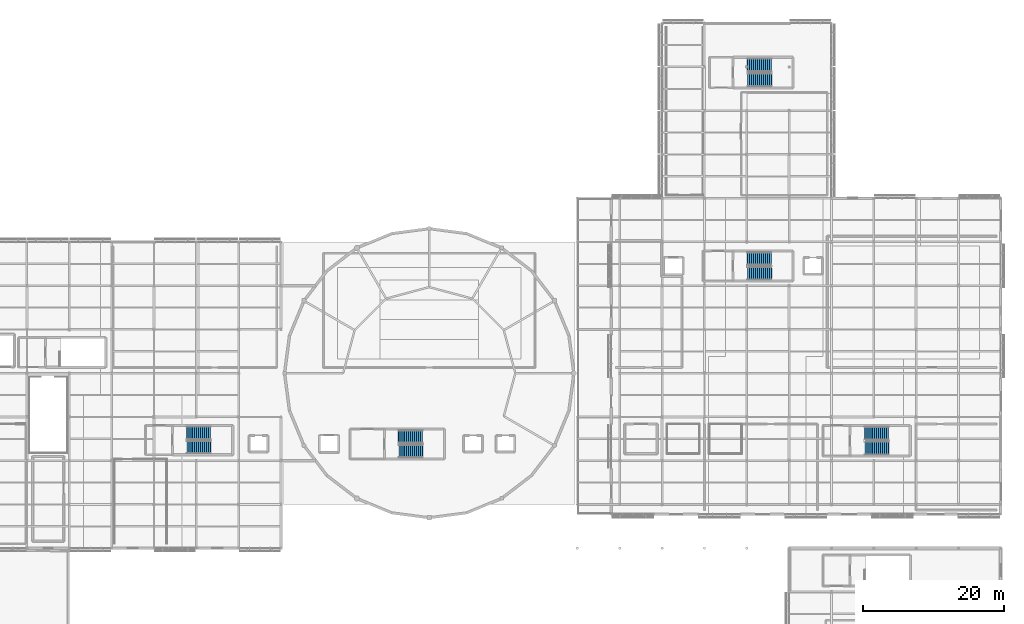
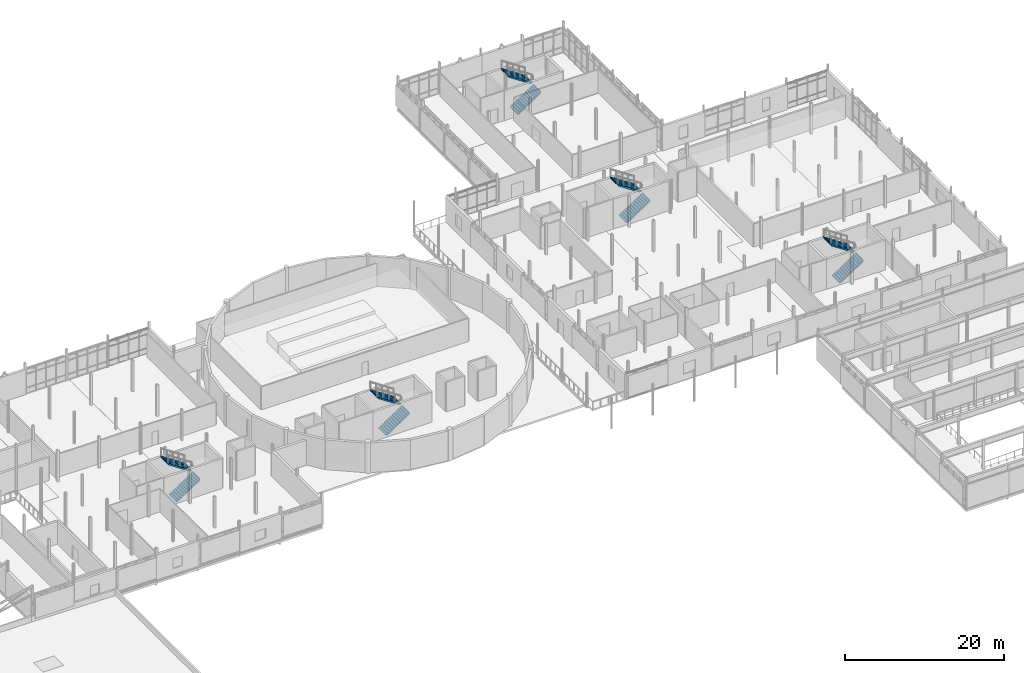
# One storey, part 64 of 84: 10 stair flights, 5 elements without a shape of their own.
"""IFC4 building model written with IfcOpenShell, lengths in metres."""

from ifc_helpers import new_model, si_unit, direction, frame, origin, place, context, subcontext, project, spatial, polyline, outline, extrude, material, type_object, element, aggregate, save


model = new_model("IFC4")

# Units and contexts
model_context = context("Model", 3, precision=1e-05, world=origin(), true_north=direction((0.0, 1.0)))
body_context = subcontext(model_context, "Body", "Model", "MODEL_VIEW")
ifc_project = project(units=[si_unit("LENGTHUNIT", "METRE"), si_unit("AREAUNIT", "SQUARE_METRE"), si_unit("VOLUMEUNIT", "CUBIC_METRE"), si_unit("PLANEANGLEUNIT", "RADIAN"), si_unit("MASSUNIT", "GRAM", prefix="KILO")], contexts=[model_context])

# Site, building, storey
site_placement = place(None, origin())
site = spatial("IfcSite", under=ifc_project, at=site_placement, CompositionType="ELEMENT")
building_placement = place(site_placement, origin())
building = spatial("IfcBuilding", under=site, at=building_placement, Name="Mirzam Square Science Centre", CompositionType="ELEMENT")
storey_placement = place(building_placement, frame((0.0, 0.0, 10.800048828125)))
storey = spatial("IfcBuildingStorey", under=building, at=storey_placement, Name="L02", CompositionType="ELEMENT", Elevation=10.800048828125)

# Stair, stair flights
ifc_material = material(Name="Concrete C40/50", Category="concrete")
stair_type_1 = type_object("IfcStairType", Name="ST-CORE-1-480", PredefinedType="HALF_TURN_STAIR", material=ifc_material)
stair_1_placement = place(storey_placement, origin())
stair_1 = element("IfcStair", 1, at=stair_1_placement, inside=storey, type_object=stair_type_1, Name="L02 ST-01", PredefinedType="HALF_TURN_STAIR")
stair_flight_type_1 = type_object("IfcStairFlightType", Name="STF-CORE-1-26R", PredefinedType="STRAIGHT", material=ifc_material)
stair_flight_1_placement = place(storey_placement, frame((46.64990234375, 51.52490234375, 0.0), z_axis=(0.0, 0.0, 1.0), x_axis=(1.0, 0.0, 0.0)))
stair_flight_1 = element("IfcStairFlight", 2, at=stair_flight_1_placement, type_object=stair_flight_type_1, Name="ST-01 flight 1", NumberOfRisers=13, NumberOfTreads=12, PredefinedType="STRAIGHT", RiserHeight=0.184615385, TreadLength=0.28, context=body_context, shape_type="SweptSolid", body=[
    extrude(outline(polyline([(0.0, 0.0), (0.0, 0.1845703125), (0.280029296875, 0.1845703125), (0.280029296875, 0.369140625), (0.56005859375, 0.369140625), (0.56005859375, 0.553955078125), (0.840087890625, 0.553955078125), (0.840087890625, 0.738525390625), (1.1201171875, 0.738525390625), (1.1201171875, 0.923095703125), (1.39990234375, 0.923095703125), (1.39990234375, 1.107666015625), (1.679931640625, 1.107666015625), (1.679931640625, 1.292236328125), (1.9599609375, 1.292236328125), (1.9599609375, 1.476806640625), (2.239990234375, 1.476806640625), (2.239990234375, 1.66162109375), (2.52001953125, 1.66162109375), (2.52001953125, 1.84619140625), (2.800048828125, 1.84619140625), (2.800048828125, 2.03076171875), (3.080078125, 2.03076171875), (3.080078125, 2.21533203125), (3.360107421875, 2.21533203125), (3.360107421875, 2.39990234375), (3.43994140625, 2.39990234375), (3.43994140625, 2.25), (3.360107421875, 2.035888671875), (0.272216796875, 0.0), (0.0, 0.0)])), frame((0.0, 0.925048828125, 0.0), z_axis=(0.0, -1.0, 0.0), x_axis=(1.0, 0.0, 0.0)), (0.0, 0.0, 1.0), 1.85009765625),
])
stair_flight_2_placement = place(storey_placement, frame((50.010009765625, 53.52490234375, 2.39990234375), z_axis=(0.0, 0.0, 1.0), x_axis=(-1.0, 0.0, 0.0)))
stair_flight_2 = element("IfcStairFlight", 3, at=stair_flight_2_placement, type_object=stair_flight_type_1, Name="ST-01 flight 2", NumberOfRisers=13, NumberOfTreads=12, PredefinedType="STRAIGHT", RiserHeight=0.184615385, TreadLength=0.28, context=body_context, shape_type="SweptSolid", body=[
    extrude(outline(polyline([(0.0, 0.0), (0.0, 0.1845703125), (0.280029296875, 0.1845703125), (0.280029296875, 0.369140625), (0.56005859375, 0.369140625), (0.56005859375, 0.553955078125), (0.840087890625, 0.553955078125), (0.840087890625, 0.738525390625), (1.1201171875, 0.738525390625), (1.1201171875, 0.923095703125), (1.39990234375, 0.923095703125), (1.39990234375, 1.107666015625), (1.679931640625, 1.107666015625), (1.679931640625, 1.292236328125), (1.9599609375, 1.292236328125), (1.9599609375, 1.476806640625), (2.239990234375, 1.476806640625), (2.239990234375, 1.66162109375), (2.52001953125, 1.66162109375), (2.52001953125, 1.84619140625), (2.800048828125, 1.84619140625), (2.800048828125, 2.03076171875), (3.080078125, 2.03076171875), (3.080078125, 2.21533203125), (3.360107421875, 2.21533203125), (3.360107421875, 2.39990234375), (3.43994140625, 2.39990234375), (3.43994140625, 2.25), (3.360107421875, 2.035888671875), (0.272216796875, 0.0), (0.0, 0.0)])), frame((0.0, 0.925048828125, 0.0), z_axis=(0.0, -1.0, 0.0), x_axis=(1.0, 0.0, 0.0)), (0.0, 0.0, 1.0), 1.85009765625),
])
aggregate(stair_1, [stair_flight_1, stair_flight_2])

stair_type_2 = type_object("IfcStairType", Name="ST-CORE-3-480", PredefinedType="HALF_TURN_STAIR", material=ifc_material)
stair_2_placement = place(storey_placement, origin())
stair_2 = element("IfcStair", 4, at=stair_2_placement, inside=storey, type_object=stair_type_2, Name="L02 ST-03", PredefinedType="HALF_TURN_STAIR")
stair_flight_type_2 = type_object("IfcStairFlightType", Name="STF-CORE-3-26R", PredefinedType="STRAIGHT", material=ifc_material)
stair_flight_3_placement = place(storey_placement, frame((76.68994140625, 50.945068359375, 0.0), z_axis=(0.0, 0.0, 1.0), x_axis=(1.0, 0.0, 0.0)))
stair_flight_3 = element("IfcStairFlight", 5, at=stair_flight_3_placement, type_object=stair_flight_type_2, Name="ST-03 flight 1", NumberOfRisers=13, NumberOfTreads=12, PredefinedType="STRAIGHT", RiserHeight=0.184615385, TreadLength=0.28, context=body_context, shape_type="SweptSolid", body=[
    extrude(outline(polyline([(0.0, 0.0), (0.0, 0.1845703125), (0.280029296875, 0.1845703125), (0.280029296875, 0.369140625), (0.56005859375, 0.369140625), (0.56005859375, 0.553955078125), (0.840087890625, 0.553955078125), (0.840087890625, 0.738525390625), (1.1201171875, 0.738525390625), (1.1201171875, 0.923095703125), (1.39990234375, 0.923095703125), (1.39990234375, 1.107666015625), (1.679931640625, 1.107666015625), (1.679931640625, 1.292236328125), (1.9599609375, 1.292236328125), (1.9599609375, 1.476806640625), (2.239990234375, 1.476806640625), (2.239990234375, 1.66162109375), (2.52001953125, 1.66162109375), (2.52001953125, 1.84619140625), (2.800048828125, 1.84619140625), (2.800048828125, 2.03076171875), (3.080078125, 2.03076171875), (3.080078125, 2.21533203125), (3.360107421875, 2.21533203125), (3.360107421875, 2.39990234375), (3.43994140625, 2.39990234375), (3.43994140625, 2.25), (3.360107421875, 2.035888671875), (0.272216796875, 0.0), (0.0, 0.0)])), frame((0.0, 0.94482421875, 0.0), z_axis=(0.0, -1.0, 0.0), x_axis=(1.0, 0.0, 0.0)), (0.0, 0.0, 1.0), 1.889892578125),
])
stair_flight_4_placement = place(storey_placement, frame((80.050048828125, 52.985107421875, 2.39990234375), z_axis=(0.0, 0.0, 1.0), x_axis=(-1.0, 0.0, 0.0)))
stair_flight_4 = element("IfcStairFlight", 6, at=stair_flight_4_placement, type_object=stair_flight_type_2, Name="ST-03 flight 2", NumberOfRisers=13, NumberOfTreads=12, PredefinedType="STRAIGHT", RiserHeight=0.184615385, TreadLength=0.28, context=body_context, shape_type="SweptSolid", body=[
    extrude(outline(polyline([(0.0, 0.0), (0.0, 0.1845703125), (0.280029296875, 0.1845703125), (0.280029296875, 0.369140625), (0.56005859375, 0.369140625), (0.56005859375, 0.553955078125), (0.840087890625, 0.553955078125), (0.840087890625, 0.738525390625), (1.1201171875, 0.738525390625), (1.1201171875, 0.923095703125), (1.39990234375, 0.923095703125), (1.39990234375, 1.107666015625), (1.679931640625, 1.107666015625), (1.679931640625, 1.292236328125), (1.9599609375, 1.292236328125), (1.9599609375, 1.476806640625), (2.239990234375, 1.476806640625), (2.239990234375, 1.66162109375), (2.52001953125, 1.66162109375), (2.52001953125, 1.84619140625), (2.800048828125, 1.84619140625), (2.800048828125, 2.03076171875), (3.080078125, 2.03076171875), (3.080078125, 2.21533203125), (3.360107421875, 2.21533203125), (3.360107421875, 2.39990234375), (3.43994140625, 2.39990234375), (3.43994140625, 2.25), (3.360107421875, 2.035888671875), (0.272216796875, 0.0), (0.0, 0.0)])), frame((0.0, 0.94482421875, 0.0), z_axis=(0.0, -1.0, 0.0), x_axis=(1.0, 0.0, 0.0)), (0.0, 0.0, 1.0), 1.889892578125),
])
aggregate(stair_2, [stair_flight_3, stair_flight_4])

stair_type_3 = type_object("IfcStairType", Name="ST-CORE-4-480", PredefinedType="HALF_TURN_STAIR", material=ifc_material)
stair_3_placement = place(storey_placement, origin())
stair_3 = element("IfcStair", 7, at=stair_3_placement, inside=storey, type_object=stair_type_3, Name="L02 ST-04", PredefinedType="HALF_TURN_STAIR")
stair_flight_type_3 = type_object("IfcStairFlightType", Name="STF-CORE-4-26R", PredefinedType="STRAIGHT", material=ifc_material)
stair_flight_5_placement = place(storey_placement, frame((126.110107421875, 76.155029296875, 0.0), z_axis=(0.0, 0.0, 1.0), x_axis=(1.0, 0.0, 0.0)))
stair_flight_5 = element("IfcStairFlight", 8, at=stair_flight_5_placement, type_object=stair_flight_type_3, Name="ST-04 flight 1", NumberOfRisers=13, NumberOfTreads=12, PredefinedType="STRAIGHT", RiserHeight=0.184615385, TreadLength=0.28, context=body_context, shape_type="SweptSolid", body=[
    extrude(outline(polyline([(0.0, 0.0), (0.0, 0.1845703125), (0.280029296875, 0.1845703125), (0.280029296875, 0.369140625), (0.56005859375, 0.369140625), (0.56005859375, 0.553955078125), (0.840087890625, 0.553955078125), (0.840087890625, 0.738525390625), (1.1201171875, 0.738525390625), (1.1201171875, 0.923095703125), (1.39990234375, 0.923095703125), (1.39990234375, 1.107666015625), (1.679931640625, 1.107666015625), (1.679931640625, 1.292236328125), (1.9599609375, 1.292236328125), (1.9599609375, 1.476806640625), (2.239990234375, 1.476806640625), (2.239990234375, 1.66162109375), (2.52001953125, 1.66162109375), (2.52001953125, 1.84619140625), (2.800048828125, 1.84619140625), (2.800048828125, 2.03076171875), (3.080078125, 2.03076171875), (3.080078125, 2.21533203125), (3.360107421875, 2.21533203125), (3.360107421875, 2.39990234375), (3.43994140625, 2.39990234375), (3.43994140625, 2.25), (3.360107421875, 2.035888671875), (0.272216796875, 0.0), (0.0, 0.0)])), frame((0.0, 0.955078125, 0.0), z_axis=(0.0, -1.0, 0.0), x_axis=(1.0, 0.0, 0.0)), (0.0, 0.0, 1.0), 1.909912109375),
])
stair_flight_6_placement = place(storey_placement, frame((129.469970703125, 78.215087890625, 2.39990234375), z_axis=(0.0, 0.0, 1.0), x_axis=(-1.0, 0.0, 0.0)))
stair_flight_6 = element("IfcStairFlight", 9, at=stair_flight_6_placement, type_object=stair_flight_type_3, Name="ST-04 flight 2", NumberOfRisers=13, NumberOfTreads=12, PredefinedType="STRAIGHT", RiserHeight=0.184615385, TreadLength=0.28, context=body_context, shape_type="SweptSolid", body=[
    extrude(outline(polyline([(0.0, 0.0), (0.0, 0.1845703125), (0.280029296875, 0.1845703125), (0.280029296875, 0.369140625), (0.56005859375, 0.369140625), (0.56005859375, 0.553955078125), (0.840087890625, 0.553955078125), (0.840087890625, 0.738525390625), (1.1201171875, 0.738525390625), (1.1201171875, 0.923095703125), (1.39990234375, 0.923095703125), (1.39990234375, 1.107666015625), (1.679931640625, 1.107666015625), (1.679931640625, 1.292236328125), (1.9599609375, 1.292236328125), (1.9599609375, 1.476806640625), (2.239990234375, 1.476806640625), (2.239990234375, 1.66162109375), (2.52001953125, 1.66162109375), (2.52001953125, 1.84619140625), (2.800048828125, 1.84619140625), (2.800048828125, 2.03076171875), (3.080078125, 2.03076171875), (3.080078125, 2.21533203125), (3.360107421875, 2.21533203125), (3.360107421875, 2.39990234375), (3.43994140625, 2.39990234375), (3.43994140625, 2.25), (3.360107421875, 2.035888671875), (0.272216796875, 0.0), (0.0, 0.0)])), frame((0.0, 0.955078125, 0.0), z_axis=(0.0, -1.0, 0.0), x_axis=(1.0, 0.0, 0.0)), (0.0, 0.0, 1.0), 1.909912109375),
])
aggregate(stair_3, [stair_flight_5, stair_flight_6])

stair_type_4 = type_object("IfcStairType", Name="ST-CORE-5-480", PredefinedType="HALF_TURN_STAIR", material=ifc_material)
stair_4_placement = place(storey_placement, origin())
stair_4 = element("IfcStair", 10, at=stair_4_placement, inside=storey, type_object=stair_type_4, Name="L02 ST-05", PredefinedType="HALF_TURN_STAIR")
stair_flight_type_4 = type_object("IfcStairFlightType", Name="STF-CORE-5-26R", PredefinedType="STRAIGHT", material=ifc_material)
stair_flight_7_placement = place(storey_placement, frame((142.72998046875, 51.364990234375, 0.0), z_axis=(0.0, 0.0, 1.0), x_axis=(1.0, 0.0, 0.0)))
stair_flight_7 = element("IfcStairFlight", 11, at=stair_flight_7_placement, type_object=stair_flight_type_4, Name="ST-05 flight 1", NumberOfRisers=13, NumberOfTreads=12, PredefinedType="STRAIGHT", RiserHeight=0.184615385, TreadLength=0.28, context=body_context, shape_type="SweptSolid", body=[
    extrude(outline(polyline([(0.0, 0.0), (0.0, 0.1845703125), (0.280029296875, 0.1845703125), (0.280029296875, 0.369140625), (0.56005859375, 0.369140625), (0.56005859375, 0.553955078125), (0.840087890625, 0.553955078125), (0.840087890625, 0.738525390625), (1.1201171875, 0.738525390625), (1.1201171875, 0.923095703125), (1.39990234375, 0.923095703125), (1.39990234375, 1.107666015625), (1.679931640625, 1.107666015625), (1.679931640625, 1.292236328125), (1.9599609375, 1.292236328125), (1.9599609375, 1.476806640625), (2.239990234375, 1.476806640625), (2.239990234375, 1.66162109375), (2.52001953125, 1.66162109375), (2.52001953125, 1.84619140625), (2.800048828125, 1.84619140625), (2.800048828125, 2.03076171875), (3.080078125, 2.03076171875), (3.080078125, 2.21533203125), (3.360107421875, 2.21533203125), (3.360107421875, 2.39990234375), (3.43994140625, 2.39990234375), (3.43994140625, 2.25), (3.360107421875, 2.035888671875), (0.272216796875, 0.0), (0.0, 0.0)])), frame((0.0, 0.96484375, 0.0), z_axis=(0.0, -1.0, 0.0), x_axis=(1.0, 0.0, 0.0)), (0.0, 0.0, 1.0), 1.929931640625),
])
stair_flight_8_placement = place(storey_placement, frame((146.090087890625, 53.445068359375, 2.39990234375), z_axis=(0.0, 0.0, 1.0), x_axis=(-1.0, 0.0, 0.0)))
stair_flight_8 = element("IfcStairFlight", 12, at=stair_flight_8_placement, type_object=stair_flight_type_4, Name="ST-05 flight 2", NumberOfRisers=13, NumberOfTreads=12, PredefinedType="STRAIGHT", RiserHeight=0.184615385, TreadLength=0.28, context=body_context, shape_type="SweptSolid", body=[
    extrude(outline(polyline([(0.0, 0.0), (0.0, 0.1845703125), (0.280029296875, 0.1845703125), (0.280029296875, 0.369140625), (0.56005859375, 0.369140625), (0.56005859375, 0.553955078125), (0.840087890625, 0.553955078125), (0.840087890625, 0.738525390625), (1.1201171875, 0.738525390625), (1.1201171875, 0.923095703125), (1.39990234375, 0.923095703125), (1.39990234375, 1.107666015625), (1.679931640625, 1.107666015625), (1.679931640625, 1.292236328125), (1.9599609375, 1.292236328125), (1.9599609375, 1.476806640625), (2.239990234375, 1.476806640625), (2.239990234375, 1.66162109375), (2.52001953125, 1.66162109375), (2.52001953125, 1.84619140625), (2.800048828125, 1.84619140625), (2.800048828125, 2.03076171875), (3.080078125, 2.03076171875), (3.080078125, 2.21533203125), (3.360107421875, 2.21533203125), (3.360107421875, 2.39990234375), (3.43994140625, 2.39990234375), (3.43994140625, 2.25), (3.360107421875, 2.035888671875), (0.272216796875, 0.0), (0.0, 0.0)])), frame((0.0, 0.96484375, 0.0), z_axis=(0.0, -1.0, 0.0), x_axis=(1.0, 0.0, 0.0)), (0.0, 0.0, 1.0), 1.929931640625),
])
aggregate(stair_4, [stair_flight_7, stair_flight_8])

stair_type_5 = type_object("IfcStairType", Name="ST-CORE-7-480", PredefinedType="HALF_TURN_STAIR", material=ifc_material)
stair_5_placement = place(storey_placement, origin())
stair_5 = element("IfcStair", 13, at=stair_5_placement, inside=storey, type_object=stair_type_5, Name="L02 ST-11", PredefinedType="HALF_TURN_STAIR")
stair_flight_type_5 = type_object("IfcStairFlightType", Name="STF-CORE-7-26R", PredefinedType="STRAIGHT", material=ifc_material)
stair_flight_9_placement = place(storey_placement, frame((126.1298828125, 103.56494140625, 0.0), z_axis=(0.0, 0.0, 1.0), x_axis=(1.0, 0.0, 0.0)))
stair_flight_9 = element("IfcStairFlight", 14, at=stair_flight_9_placement, type_object=stair_flight_type_5, Name="ST-11 flight 1", NumberOfRisers=13, NumberOfTreads=12, PredefinedType="STRAIGHT", RiserHeight=0.184615385, TreadLength=0.28, context=body_context, shape_type="SweptSolid", body=[
    extrude(outline(polyline([(0.0, 0.0), (0.0, 0.1845703125), (0.280029296875, 0.1845703125), (0.280029296875, 0.369140625), (0.56005859375, 0.369140625), (0.56005859375, 0.553955078125), (0.840087890625, 0.553955078125), (0.840087890625, 0.738525390625), (1.1201171875, 0.738525390625), (1.1201171875, 0.923095703125), (1.39990234375, 0.923095703125), (1.39990234375, 1.107666015625), (1.679931640625, 1.107666015625), (1.679931640625, 1.292236328125), (1.9599609375, 1.292236328125), (1.9599609375, 1.476806640625), (2.239990234375, 1.476806640625), (2.239990234375, 1.66162109375), (2.52001953125, 1.66162109375), (2.52001953125, 1.84619140625), (2.800048828125, 1.84619140625), (2.800048828125, 2.03076171875), (3.080078125, 2.03076171875), (3.080078125, 2.21533203125), (3.360107421875, 2.21533203125), (3.360107421875, 2.39990234375), (3.43994140625, 2.39990234375), (3.43994140625, 2.25), (3.360107421875, 2.035888671875), (0.272216796875, 0.0), (0.0, 0.0)])), frame((0.0, 0.96484375, 0.0), z_axis=(0.0, -1.0, 0.0), x_axis=(1.0, 0.0, 0.0)), (0.0, 0.0, 1.0), 1.929931640625),
])
stair_flight_10_placement = place(storey_placement, frame((129.489990234375, 105.64501953125, 2.39990234375), z_axis=(0.0, 0.0, 1.0), x_axis=(-1.0, 0.0, 0.0)))
stair_flight_10 = element("IfcStairFlight", 15, at=stair_flight_10_placement, type_object=stair_flight_type_5, Name="ST-11 flight 2", NumberOfRisers=13, NumberOfTreads=12, PredefinedType="STRAIGHT", RiserHeight=0.184615385, TreadLength=0.28, context=body_context, shape_type="SweptSolid", body=[
    extrude(outline(polyline([(0.0, 0.0), (0.0, 0.1845703125), (0.280029296875, 0.1845703125), (0.280029296875, 0.369140625), (0.56005859375, 0.369140625), (0.56005859375, 0.553955078125), (0.840087890625, 0.553955078125), (0.840087890625, 0.738525390625), (1.1201171875, 0.738525390625), (1.1201171875, 0.923095703125), (1.39990234375, 0.923095703125), (1.39990234375, 1.107666015625), (1.679931640625, 1.107666015625), (1.679931640625, 1.292236328125), (1.9599609375, 1.292236328125), (1.9599609375, 1.476806640625), (2.239990234375, 1.476806640625), (2.239990234375, 1.66162109375), (2.52001953125, 1.66162109375), (2.52001953125, 1.84619140625), (2.800048828125, 1.84619140625), (2.800048828125, 2.03076171875), (3.080078125, 2.03076171875), (3.080078125, 2.21533203125), (3.360107421875, 2.21533203125), (3.360107421875, 2.39990234375), (3.43994140625, 2.39990234375), (3.43994140625, 2.25), (3.360107421875, 2.035888671875), (0.272216796875, 0.0), (0.0, 0.0)])), frame((0.0, 0.96484375, 0.0), z_axis=(0.0, -1.0, 0.0), x_axis=(1.0, 0.0, 0.0)), (0.0, 0.0, 1.0), 1.929931640625),
])
aggregate(stair_5, [stair_flight_9, stair_flight_10])

save(model, "model.ifc")
